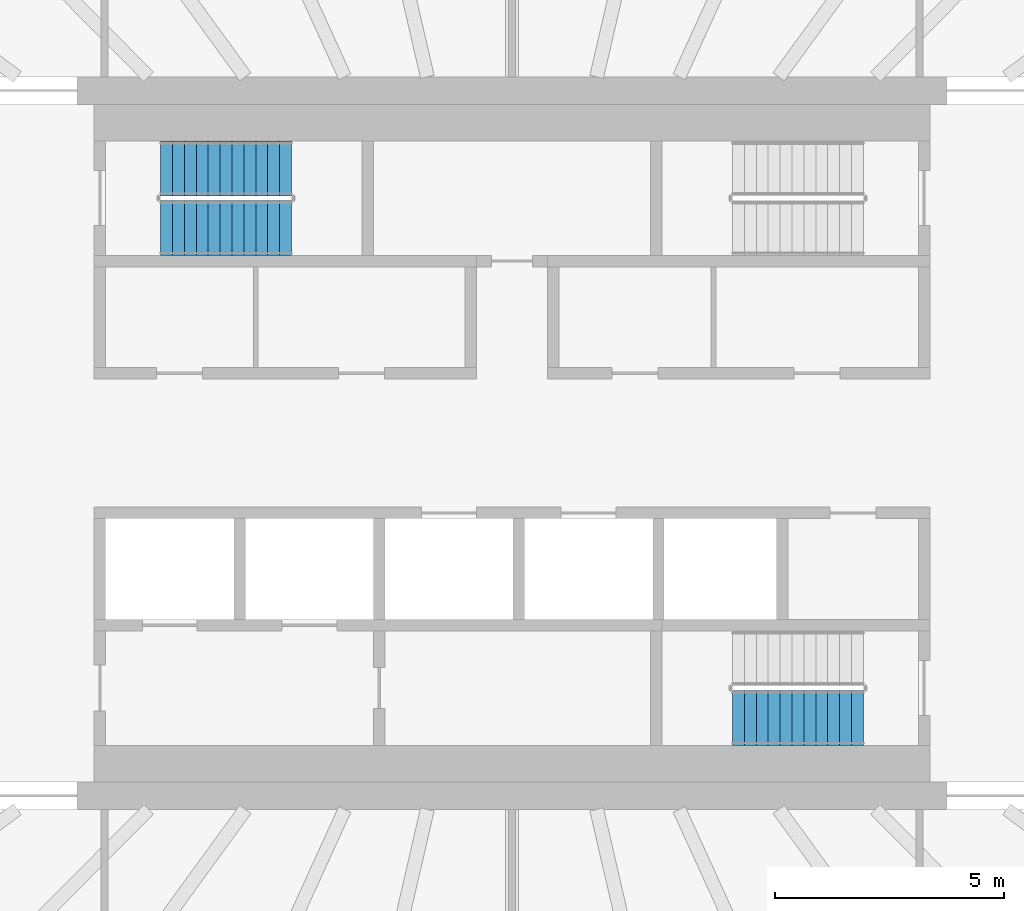
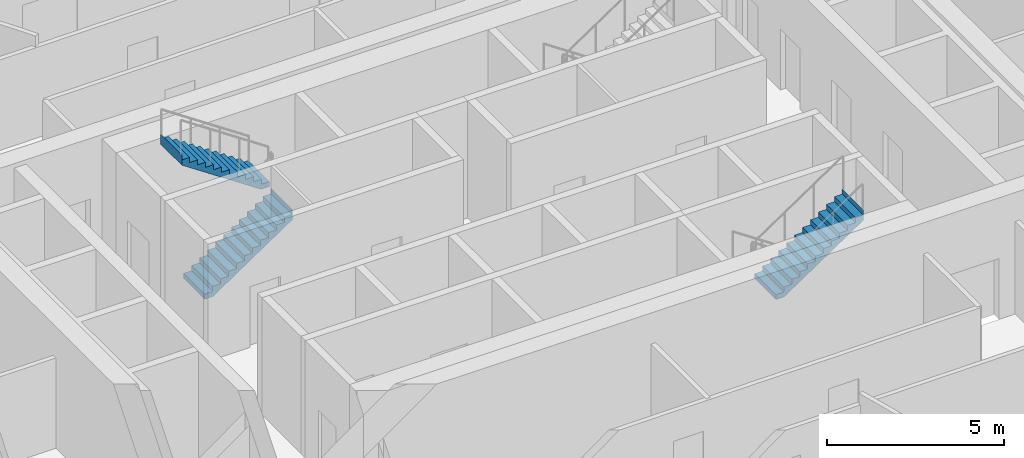
# One storey, part 20 of 28: 3 stair flights, 2 elements without a shape of their own.
"""IFC4 building model written with IfcOpenShell, lengths in metres."""

from ifc_helpers import new_model, si_unit, direction, frame, origin, place, context, subcontext, project, spatial, triangles, material, type_object, element, aggregate, save


model = new_model("IFC4")

# Units and contexts
model_context = context("Model", 3, precision=1e-05, world=origin(), true_north=direction((0.0, 1.0)))
body_context = subcontext(model_context, "Body", "Model", "MODEL_VIEW")
ifc_project = project(units=[si_unit("LENGTHUNIT", "METRE"), si_unit("AREAUNIT", "SQUARE_METRE"), si_unit("VOLUMEUNIT", "CUBIC_METRE"), si_unit("PLANEANGLEUNIT", "RADIAN"), si_unit("MASSUNIT", "GRAM", prefix="KILO")], contexts=[model_context])

# Site, building, storey
site_placement = place(None, origin())
site = spatial("IfcSite", under=ifc_project, at=site_placement, CompositionType="ELEMENT")
building_placement = place(site_placement, origin())
building = spatial("IfcBuilding", under=site, at=building_placement, Name="Sahrelin Media Tower", CompositionType="ELEMENT")
storey_placement = place(building_placement, frame((0.0, 0.0, 75.60009765625)))
storey = spatial("IfcBuildingStorey", under=building, at=storey_placement, Name="L13", CompositionType="ELEMENT", Elevation=75.60009765625)

# Stair, stair flights
ifc_material = material(Name="Concrete C40/50", Category="concrete")
stair_type = type_object("IfcStairType", Name="Exit stair 1200", PredefinedType="HALF_TURN_STAIR", material=ifc_material)
placement = place(storey_placement, origin())
stair_1 = element("IfcStair", 1, at=placement, inside=storey, type_object=stair_type, Name="L13 Exit stair ST1", PredefinedType="HALF_TURN_STAIR")
stair_flight_type = type_object("IfcStairFlightType", Name="Stair flight 1200", PredefinedType="STRAIGHT", material=ifc_material)
stair_flight_1_placement = place(storey_placement, frame((-7.675048828125, 4.699951171875, 0.0), z_axis=(0.0, 0.0, 1.0), x_axis=(1.0, 0.0, 0.0)))
stair_flight_1 = element("IfcStairFlight", 2, at=stair_flight_1_placement, type_object=stair_flight_type, Name="ST1 flight 1", NumberOfRisers=12, NumberOfTreads=11, PredefinedType="STRAIGHT", RiserHeight=0.175, TreadLength=0.26, context=body_context, shape_type="Tessellation", body=[
    triangles([(0.2685546875, 0.60009765625, 0.0), (0.2685546875, 0.300048828125, 0.0), (0.2685546875, 0.0, 0.0), (0.2685546875, -0.300048828125, 0.0), (0.2685546875, -0.60009765625, 0.0), (2.860107421875, 0.60009765625, 1.744384765625), (2.860107421875, 0.300048828125, 1.744384765625), (2.860107421875, 0.0, 1.744384765625), (2.860107421875, -0.300048828125, 1.744384765625), (2.860107421875, -0.60009765625, 1.744384765625), (2.860107421875, 0.60009765625, 2.10009765625), (2.860107421875, 0.300048828125, 2.10009765625), (2.860107421875, 0.0, 2.10009765625), (2.860107421875, -0.300048828125, 2.10009765625), (2.860107421875, -0.60009765625, 2.10009765625), (2.85791015625, 0.60009765625, 2.10009765625), (2.85791015625, 0.300048828125, 2.10009765625), (2.85791015625, 0.0, 2.10009765625), (2.85791015625, -0.300048828125, 2.10009765625), (2.85791015625, -0.60009765625, 2.10009765625), (2.85791015625, 0.60009765625, 1.925048828125), (2.85791015625, 0.300048828125, 1.925048828125), (2.85791015625, 0.0, 1.925048828125), (2.85791015625, -0.300048828125, 1.925048828125), (2.85791015625, -0.60009765625, 1.925048828125), (2.60009765625, 0.60009765625, 1.925048828125), (2.60009765625, 0.300048828125, 1.925048828125), (2.60009765625, 0.0, 1.925048828125), (2.60009765625, -0.300048828125, 1.925048828125), (2.60009765625, -0.60009765625, 1.925048828125), (2.60009765625, 0.60009765625, 1.75), (2.60009765625, 0.300048828125, 1.75), (2.60009765625, 0.0, 1.75), (2.60009765625, -0.300048828125, 1.75), (2.60009765625, -0.60009765625, 1.75), (2.340087890625, 0.60009765625, 1.75), (2.340087890625, 0.300048828125, 1.75), (2.340087890625, 0.0, 1.75), (2.340087890625, -0.300048828125, 1.75), (2.340087890625, -0.60009765625, 1.75), (2.340087890625, 0.60009765625, 1.574951171875), (2.340087890625, 0.300048828125, 1.574951171875), (2.340087890625, 0.0, 1.574951171875), (2.340087890625, -0.300048828125, 1.574951171875), (2.340087890625, -0.60009765625, 1.574951171875), (2.080078125, 0.60009765625, 1.574951171875), (2.080078125, 0.300048828125, 1.574951171875), (2.080078125, 0.0, 1.574951171875), (2.080078125, -0.300048828125, 1.574951171875), (2.080078125, -0.60009765625, 1.574951171875), (2.080078125, 0.60009765625, 1.39990234375), (2.080078125, 0.300048828125, 1.39990234375), (2.080078125, 0.0, 1.39990234375), (2.080078125, -0.300048828125, 1.39990234375), (2.080078125, -0.60009765625, 1.39990234375), (1.820068359375, 0.60009765625, 1.39990234375), (1.820068359375, 0.300048828125, 1.39990234375), (1.820068359375, 0.0, 1.39990234375), (1.820068359375, -0.300048828125, 1.39990234375), (1.820068359375, -0.60009765625, 1.39990234375), (1.820068359375, 0.60009765625, 1.22509765625), (1.820068359375, 0.300048828125, 1.22509765625), (1.820068359375, 0.0, 1.22509765625), (1.820068359375, -0.300048828125, 1.22509765625), (1.820068359375, -0.60009765625, 1.22509765625), (1.56005859375, 0.60009765625, 1.22509765625), (1.56005859375, 0.300048828125, 1.22509765625), (1.56005859375, 0.0, 1.22509765625), (1.56005859375, -0.300048828125, 1.22509765625), (1.56005859375, -0.60009765625, 1.22509765625), (1.56005859375, 0.60009765625, 1.050048828125), (1.56005859375, 0.300048828125, 1.050048828125), (1.56005859375, 0.0, 1.050048828125), (1.56005859375, -0.300048828125, 1.050048828125), (1.56005859375, -0.60009765625, 1.050048828125), (1.300048828125, 0.60009765625, 1.050048828125), (1.300048828125, 0.300048828125, 1.050048828125), (1.300048828125, 0.0, 1.050048828125), (1.300048828125, -0.300048828125, 1.050048828125), (1.300048828125, -0.60009765625, 1.050048828125), (1.300048828125, 0.60009765625, 0.875), (1.300048828125, 0.300048828125, 0.875), (1.300048828125, 0.0, 0.875), (1.300048828125, -0.300048828125, 0.875), (1.300048828125, -0.60009765625, 0.875), (1.0400390625, 0.60009765625, 0.875), (1.0400390625, 0.300048828125, 0.875), (1.0400390625, 0.0, 0.875), (1.0400390625, -0.300048828125, 0.875), (1.0400390625, -0.60009765625, 0.875), (1.0400390625, 0.60009765625, 0.699951171875), (1.0400390625, 0.300048828125, 0.699951171875), (1.0400390625, 0.0, 0.699951171875), (1.0400390625, -0.300048828125, 0.699951171875), (1.0400390625, -0.60009765625, 0.699951171875), (0.780029296875, 0.60009765625, 0.699951171875), (0.780029296875, 0.300048828125, 0.699951171875), (0.780029296875, 0.0, 0.699951171875), (0.780029296875, -0.300048828125, 0.699951171875), (0.780029296875, -0.60009765625, 0.699951171875), (0.780029296875, 0.60009765625, 0.52490234375), (0.780029296875, 0.300048828125, 0.52490234375), (0.780029296875, 0.0, 0.52490234375), (0.780029296875, -0.300048828125, 0.52490234375), (0.780029296875, -0.60009765625, 0.52490234375), (0.52001953125, 0.60009765625, 0.52490234375), (0.52001953125, 0.300048828125, 0.52490234375), (0.52001953125, 0.0, 0.52490234375), (0.52001953125, -0.300048828125, 0.52490234375), (0.52001953125, -0.60009765625, 0.52490234375), (0.52001953125, 0.60009765625, 0.35009765625), (0.52001953125, 0.300048828125, 0.35009765625), (0.52001953125, 0.0, 0.35009765625), (0.52001953125, -0.300048828125, 0.35009765625), (0.52001953125, -0.60009765625, 0.35009765625), (0.260009765625, 0.60009765625, 0.35009765625), (0.260009765625, 0.300048828125, 0.35009765625), (0.260009765625, 0.0, 0.35009765625), (0.260009765625, -0.300048828125, 0.35009765625), (0.260009765625, -0.60009765625, 0.35009765625), (0.260009765625, 0.60009765625, 0.175048828125), (0.260009765625, 0.300048828125, 0.175048828125), (0.260009765625, 0.0, 0.175048828125), (0.260009765625, -0.300048828125, 0.175048828125), (0.260009765625, -0.60009765625, 0.175048828125), (0.0, 0.60009765625, 0.175048828125), (0.0, 0.300048828125, 0.175048828125), (0.0, 0.0, 0.175048828125), (0.0, -0.300048828125, 0.175048828125), (0.0, -0.60009765625, 0.175048828125), (0.0, 0.60009765625, 0.0), (0.0, 0.300048828125, 0.0), (0.0, 0.0, 0.0), (0.0, -0.300048828125, 0.0), (0.0, -0.60009765625, 0.0)], [[1, 6, 7], [1, 7, 2], [2, 7, 8], [2, 8, 3], [3, 8, 9], [3, 9, 4], [4, 9, 10], [4, 10, 5], [6, 11, 12], [6, 12, 7], [7, 12, 13], [7, 13, 8], [8, 13, 14], [8, 14, 9], [9, 14, 15], [9, 15, 10], [11, 16, 17], [11, 17, 12], [12, 17, 18], [12, 18, 13], [13, 18, 19], [13, 19, 14], [14, 19, 20], [14, 20, 15], [16, 21, 22], [16, 22, 17], [17, 22, 23], [17, 23, 18], [18, 23, 24], [18, 24, 19], [19, 24, 25], [19, 25, 20], [21, 26, 27], [21, 27, 22], [22, 27, 28], [22, 28, 23], [23, 28, 29], [23, 29, 24], [24, 29, 30], [24, 30, 25], [26, 31, 32], [26, 32, 27], [27, 32, 33], [27, 33, 28], [28, 33, 34], [28, 34, 29], [29, 34, 35], [29, 35, 30], [31, 36, 37], [31, 37, 32], [32, 37, 38], [32, 38, 33], [33, 38, 39], [33, 39, 34], [34, 39, 40], [34, 40, 35], [36, 41, 42], [36, 42, 37], [37, 42, 43], [37, 43, 38], [38, 43, 44], [38, 44, 39], [39, 44, 45], [39, 45, 40], [41, 46, 47], [41, 47, 42], [42, 47, 48], [42, 48, 43], [43, 48, 49], [43, 49, 44], [44, 49, 50], [44, 50, 45], [46, 51, 52], [46, 52, 47], [47, 52, 53], [47, 53, 48], [48, 53, 54], [48, 54, 49], [49, 54, 55], [49, 55, 50], [51, 56, 57], [51, 57, 52], [52, 57, 58], [52, 58, 53], [53, 58, 59], [53, 59, 54], [54, 59, 60], [54, 60, 55], [56, 61, 62], [56, 62, 57], [57, 62, 63], [57, 63, 58], [58, 63, 64], [58, 64, 59], [59, 64, 65], [59, 65, 60], [61, 66, 67], [61, 67, 62], [62, 67, 68], [62, 68, 63], [63, 68, 69], [63, 69, 64], [64, 69, 70], [64, 70, 65], [66, 71, 72], [66, 72, 67], [67, 72, 73], [67, 73, 68], [68, 73, 74], [68, 74, 69], [69, 74, 75], [69, 75, 70], [71, 76, 77], [71, 77, 72], [72, 77, 78], [72, 78, 73], [73, 78, 79], [73, 79, 74], [74, 79, 80], [74, 80, 75], [76, 81, 82], [76, 82, 77], [77, 82, 83], [77, 83, 78], [78, 83, 84], [78, 84, 79], [79, 84, 85], [79, 85, 80], [81, 86, 87], [81, 87, 82], [82, 87, 88], [82, 88, 83], [83, 88, 89], [83, 89, 84], [84, 89, 90], [84, 90, 85], [86, 91, 92], [86, 92, 87], [87, 92, 93], [87, 93, 88], [88, 93, 94], [88, 94, 89], [89, 94, 95], [89, 95, 90], [91, 96, 97], [91, 97, 92], [92, 97, 98], [92, 98, 93], [93, 98, 99], [93, 99, 94], [94, 99, 100], [94, 100, 95], [96, 101, 102], [96, 102, 97], [97, 102, 103], [97, 103, 98], [98, 103, 104], [98, 104, 99], [99, 104, 105], [99, 105, 100], [101, 106, 107], [101, 107, 102], [102, 107, 108], [102, 108, 103], [103, 108, 109], [103, 109, 104], [104, 109, 110], [104, 110, 105], [106, 111, 112], [106, 112, 107], [107, 112, 113], [107, 113, 108], [108, 113, 114], [108, 114, 109], [109, 114, 115], [109, 115, 110], [111, 116, 117], [111, 117, 112], [112, 117, 118], [112, 118, 113], [113, 118, 119], [113, 119, 114], [114, 119, 120], [114, 120, 115], [116, 121, 122], [116, 122, 117], [117, 122, 123], [117, 123, 118], [118, 123, 124], [118, 124, 119], [119, 124, 125], [119, 125, 120], [121, 126, 127], [121, 127, 122], [122, 127, 128], [122, 128, 123], [123, 128, 129], [123, 129, 124], [124, 129, 130], [124, 130, 125], [126, 131, 132], [126, 132, 127], [127, 132, 133], [127, 133, 128], [128, 133, 134], [128, 134, 129], [129, 134, 135], [129, 135, 130], [131, 1, 2], [131, 2, 132], [132, 2, 3], [132, 3, 133], [133, 3, 4], [133, 4, 134], [134, 4, 5], [134, 5, 135], [125, 130, 135], [121, 131, 126], [125, 115, 120], [121, 116, 111], [115, 105, 110], [111, 106, 101], [105, 95, 100], [101, 96, 91], [95, 85, 90], [91, 86, 81], [85, 75, 80], [81, 76, 71], [75, 65, 70], [71, 66, 61], [65, 55, 60], [61, 56, 51], [55, 45, 50], [51, 46, 41], [45, 35, 40], [41, 36, 31], [35, 25, 30], [31, 26, 21], [25, 15, 20], [21, 16, 11], [135, 5, 125], [131, 121, 1], [95, 105, 5], [91, 1, 101], [5, 10, 75], [1, 71, 6], [10, 35, 45], [6, 41, 31], [25, 10, 15], [21, 11, 6], [115, 125, 5], [111, 1, 121], [75, 85, 5], [71, 1, 81], [35, 10, 25], [31, 21, 6], [105, 115, 5], [101, 1, 111], [45, 55, 10], [41, 6, 51], [85, 95, 5], [81, 1, 91], [65, 10, 55], [61, 51, 6], [10, 65, 75], [6, 71, 61]], closed=True),
])
stair_flight_2_placement = place(storey_placement, frame((-4.81494140625, 6.0, 2.099853515625), z_axis=(0.0, 0.0, 1.0), x_axis=(-1.0, 0.0, 0.0)))
stair_flight_2 = element("IfcStairFlight", 3, at=stair_flight_2_placement, type_object=stair_flight_type, Name="ST1 flight 2", NumberOfRisers=12, NumberOfTreads=11, PredefinedType="STRAIGHT", RiserHeight=0.175, TreadLength=0.26, context=body_context, shape_type="Tessellation", body=[
    triangles([(0.2685546875, 0.60009765625, 0.0), (0.2685546875, 0.300048828125, 0.0), (0.2685546875, 0.0, 0.0), (0.2685546875, -0.300048828125, 0.0), (0.2685546875, -0.60009765625, 0.0), (2.860107421875, 0.60009765625, 1.744384765625), (2.860107421875, 0.300048828125, 1.744384765625), (2.860107421875, 0.0, 1.744384765625), (2.860107421875, -0.300048828125, 1.744384765625), (2.860107421875, -0.60009765625, 1.744384765625), (2.860107421875, 0.60009765625, 2.10009765625), (2.860107421875, 0.300048828125, 2.10009765625), (2.860107421875, 0.0, 2.10009765625), (2.860107421875, -0.300048828125, 2.10009765625), (2.860107421875, -0.60009765625, 2.10009765625), (2.85791015625, 0.60009765625, 2.10009765625), (2.85791015625, 0.300048828125, 2.10009765625), (2.85791015625, 0.0, 2.10009765625), (2.85791015625, -0.300048828125, 2.10009765625), (2.85791015625, -0.60009765625, 2.10009765625), (2.85791015625, 0.60009765625, 1.925048828125), (2.85791015625, 0.300048828125, 1.925048828125), (2.85791015625, 0.0, 1.925048828125), (2.85791015625, -0.300048828125, 1.925048828125), (2.85791015625, -0.60009765625, 1.925048828125), (2.60009765625, 0.60009765625, 1.925048828125), (2.60009765625, 0.300048828125, 1.925048828125), (2.60009765625, 0.0, 1.925048828125), (2.60009765625, -0.300048828125, 1.925048828125), (2.60009765625, -0.60009765625, 1.925048828125), (2.60009765625, 0.60009765625, 1.75), (2.60009765625, 0.300048828125, 1.75), (2.60009765625, 0.0, 1.75), (2.60009765625, -0.300048828125, 1.75), (2.60009765625, -0.60009765625, 1.75), (2.340087890625, 0.60009765625, 1.75), (2.340087890625, 0.300048828125, 1.75), (2.340087890625, 0.0, 1.75), (2.340087890625, -0.300048828125, 1.75), (2.340087890625, -0.60009765625, 1.75), (2.340087890625, 0.60009765625, 1.574951171875), (2.340087890625, 0.300048828125, 1.574951171875), (2.340087890625, 0.0, 1.574951171875), (2.340087890625, -0.300048828125, 1.574951171875), (2.340087890625, -0.60009765625, 1.574951171875), (2.080078125, 0.60009765625, 1.574951171875), (2.080078125, 0.300048828125, 1.574951171875), (2.080078125, 0.0, 1.574951171875), (2.080078125, -0.300048828125, 1.574951171875), (2.080078125, -0.60009765625, 1.574951171875), (2.080078125, 0.60009765625, 1.39990234375), (2.080078125, 0.300048828125, 1.39990234375), (2.080078125, 0.0, 1.39990234375), (2.080078125, -0.300048828125, 1.39990234375), (2.080078125, -0.60009765625, 1.39990234375), (1.820068359375, 0.60009765625, 1.39990234375), (1.820068359375, 0.300048828125, 1.39990234375), (1.820068359375, 0.0, 1.39990234375), (1.820068359375, -0.300048828125, 1.39990234375), (1.820068359375, -0.60009765625, 1.39990234375), (1.820068359375, 0.60009765625, 1.22509765625), (1.820068359375, 0.300048828125, 1.22509765625), (1.820068359375, 0.0, 1.22509765625), (1.820068359375, -0.300048828125, 1.22509765625), (1.820068359375, -0.60009765625, 1.22509765625), (1.56005859375, 0.60009765625, 1.22509765625), (1.56005859375, 0.300048828125, 1.22509765625), (1.56005859375, 0.0, 1.22509765625), (1.56005859375, -0.300048828125, 1.22509765625), (1.56005859375, -0.60009765625, 1.22509765625), (1.56005859375, 0.60009765625, 1.050048828125), (1.56005859375, 0.300048828125, 1.050048828125), (1.56005859375, 0.0, 1.050048828125), (1.56005859375, -0.300048828125, 1.050048828125), (1.56005859375, -0.60009765625, 1.050048828125), (1.300048828125, 0.60009765625, 1.050048828125), (1.300048828125, 0.300048828125, 1.050048828125), (1.300048828125, 0.0, 1.050048828125), (1.300048828125, -0.300048828125, 1.050048828125), (1.300048828125, -0.60009765625, 1.050048828125), (1.300048828125, 0.60009765625, 0.875), (1.300048828125, 0.300048828125, 0.875), (1.300048828125, 0.0, 0.875), (1.300048828125, -0.300048828125, 0.875), (1.300048828125, -0.60009765625, 0.875), (1.0400390625, 0.60009765625, 0.875), (1.0400390625, 0.300048828125, 0.875), (1.0400390625, 0.0, 0.875), (1.0400390625, -0.300048828125, 0.875), (1.0400390625, -0.60009765625, 0.875), (1.0400390625, 0.60009765625, 0.699951171875), (1.0400390625, 0.300048828125, 0.699951171875), (1.0400390625, 0.0, 0.699951171875), (1.0400390625, -0.300048828125, 0.699951171875), (1.0400390625, -0.60009765625, 0.699951171875), (0.780029296875, 0.60009765625, 0.699951171875), (0.780029296875, 0.300048828125, 0.699951171875), (0.780029296875, 0.0, 0.699951171875), (0.780029296875, -0.300048828125, 0.699951171875), (0.780029296875, -0.60009765625, 0.699951171875), (0.780029296875, 0.60009765625, 0.52490234375), (0.780029296875, 0.300048828125, 0.52490234375), (0.780029296875, 0.0, 0.52490234375), (0.780029296875, -0.300048828125, 0.52490234375), (0.780029296875, -0.60009765625, 0.52490234375), (0.52001953125, 0.60009765625, 0.52490234375), (0.52001953125, 0.300048828125, 0.52490234375), (0.52001953125, 0.0, 0.52490234375), (0.52001953125, -0.300048828125, 0.52490234375), (0.52001953125, -0.60009765625, 0.52490234375), (0.52001953125, 0.60009765625, 0.35009765625), (0.52001953125, 0.300048828125, 0.35009765625), (0.52001953125, 0.0, 0.35009765625), (0.52001953125, -0.300048828125, 0.35009765625), (0.52001953125, -0.60009765625, 0.35009765625), (0.260009765625, 0.60009765625, 0.35009765625), (0.260009765625, 0.300048828125, 0.35009765625), (0.260009765625, 0.0, 0.35009765625), (0.260009765625, -0.300048828125, 0.35009765625), (0.260009765625, -0.60009765625, 0.35009765625), (0.260009765625, 0.60009765625, 0.175048828125), (0.260009765625, 0.300048828125, 0.175048828125), (0.260009765625, 0.0, 0.175048828125), (0.260009765625, -0.300048828125, 0.175048828125), (0.260009765625, -0.60009765625, 0.175048828125), (0.0, 0.60009765625, 0.175048828125), (0.0, 0.300048828125, 0.175048828125), (0.0, 0.0, 0.175048828125), (0.0, -0.300048828125, 0.175048828125), (0.0, -0.60009765625, 0.175048828125), (0.0, 0.60009765625, 0.0), (0.0, 0.300048828125, 0.0), (0.0, 0.0, 0.0), (0.0, -0.300048828125, 0.0), (0.0, -0.60009765625, 0.0)], [[1, 6, 7], [1, 7, 2], [2, 7, 8], [2, 8, 3], [3, 8, 9], [3, 9, 4], [4, 9, 10], [4, 10, 5], [6, 11, 12], [6, 12, 7], [7, 12, 13], [7, 13, 8], [8, 13, 14], [8, 14, 9], [9, 14, 15], [9, 15, 10], [11, 16, 17], [11, 17, 12], [12, 17, 18], [12, 18, 13], [13, 18, 19], [13, 19, 14], [14, 19, 20], [14, 20, 15], [16, 21, 22], [16, 22, 17], [17, 22, 23], [17, 23, 18], [18, 23, 24], [18, 24, 19], [19, 24, 25], [19, 25, 20], [21, 26, 27], [21, 27, 22], [22, 27, 28], [22, 28, 23], [23, 28, 29], [23, 29, 24], [24, 29, 30], [24, 30, 25], [26, 31, 32], [26, 32, 27], [27, 32, 33], [27, 33, 28], [28, 33, 34], [28, 34, 29], [29, 34, 35], [29, 35, 30], [31, 36, 37], [31, 37, 32], [32, 37, 38], [32, 38, 33], [33, 38, 39], [33, 39, 34], [34, 39, 40], [34, 40, 35], [36, 41, 42], [36, 42, 37], [37, 42, 43], [37, 43, 38], [38, 43, 44], [38, 44, 39], [39, 44, 45], [39, 45, 40], [41, 46, 47], [41, 47, 42], [42, 47, 48], [42, 48, 43], [43, 48, 49], [43, 49, 44], [44, 49, 50], [44, 50, 45], [46, 51, 52], [46, 52, 47], [47, 52, 53], [47, 53, 48], [48, 53, 54], [48, 54, 49], [49, 54, 55], [49, 55, 50], [51, 56, 57], [51, 57, 52], [52, 57, 58], [52, 58, 53], [53, 58, 59], [53, 59, 54], [54, 59, 60], [54, 60, 55], [56, 61, 62], [56, 62, 57], [57, 62, 63], [57, 63, 58], [58, 63, 64], [58, 64, 59], [59, 64, 65], [59, 65, 60], [61, 66, 67], [61, 67, 62], [62, 67, 68], [62, 68, 63], [63, 68, 69], [63, 69, 64], [64, 69, 70], [64, 70, 65], [66, 71, 72], [66, 72, 67], [67, 72, 73], [67, 73, 68], [68, 73, 74], [68, 74, 69], [69, 74, 75], [69, 75, 70], [71, 76, 77], [71, 77, 72], [72, 77, 78], [72, 78, 73], [73, 78, 79], [73, 79, 74], [74, 79, 80], [74, 80, 75], [76, 81, 82], [76, 82, 77], [77, 82, 83], [77, 83, 78], [78, 83, 84], [78, 84, 79], [79, 84, 85], [79, 85, 80], [81, 86, 87], [81, 87, 82], [82, 87, 88], [82, 88, 83], [83, 88, 89], [83, 89, 84], [84, 89, 90], [84, 90, 85], [86, 91, 92], [86, 92, 87], [87, 92, 93], [87, 93, 88], [88, 93, 94], [88, 94, 89], [89, 94, 95], [89, 95, 90], [91, 96, 97], [91, 97, 92], [92, 97, 98], [92, 98, 93], [93, 98, 99], [93, 99, 94], [94, 99, 100], [94, 100, 95], [96, 101, 102], [96, 102, 97], [97, 102, 103], [97, 103, 98], [98, 103, 104], [98, 104, 99], [99, 104, 105], [99, 105, 100], [101, 106, 107], [101, 107, 102], [102, 107, 108], [102, 108, 103], [103, 108, 109], [103, 109, 104], [104, 109, 110], [104, 110, 105], [106, 111, 112], [106, 112, 107], [107, 112, 113], [107, 113, 108], [108, 113, 114], [108, 114, 109], [109, 114, 115], [109, 115, 110], [111, 116, 117], [111, 117, 112], [112, 117, 118], [112, 118, 113], [113, 118, 119], [113, 119, 114], [114, 119, 120], [114, 120, 115], [116, 121, 122], [116, 122, 117], [117, 122, 123], [117, 123, 118], [118, 123, 124], [118, 124, 119], [119, 124, 125], [119, 125, 120], [121, 126, 127], [121, 127, 122], [122, 127, 128], [122, 128, 123], [123, 128, 129], [123, 129, 124], [124, 129, 130], [124, 130, 125], [126, 131, 132], [126, 132, 127], [127, 132, 133], [127, 133, 128], [128, 133, 134], [128, 134, 129], [129, 134, 135], [129, 135, 130], [131, 1, 2], [131, 2, 132], [132, 2, 3], [132, 3, 133], [133, 3, 4], [133, 4, 134], [134, 4, 5], [134, 5, 135], [125, 130, 135], [121, 131, 126], [125, 115, 120], [121, 116, 111], [115, 105, 110], [111, 106, 101], [105, 95, 100], [101, 96, 91], [95, 85, 90], [91, 86, 81], [85, 75, 80], [81, 76, 71], [75, 65, 70], [71, 66, 61], [65, 55, 60], [61, 56, 51], [55, 45, 50], [51, 46, 41], [45, 35, 40], [41, 36, 31], [35, 25, 30], [31, 26, 21], [25, 15, 20], [21, 16, 11], [135, 5, 125], [131, 121, 1], [95, 105, 5], [91, 1, 101], [5, 10, 75], [1, 71, 6], [10, 35, 45], [6, 41, 31], [25, 10, 15], [21, 11, 6], [115, 125, 5], [111, 1, 121], [75, 85, 5], [71, 1, 81], [35, 10, 25], [31, 21, 6], [105, 115, 5], [101, 1, 111], [45, 55, 10], [41, 6, 51], [85, 95, 5], [81, 1, 91], [65, 10, 55], [61, 51, 6], [10, 65, 75], [6, 71, 61]], closed=True),
])
aggregate(stair_1, [stair_flight_1, stair_flight_2])

# Stair, stair flight
stair_2 = element("IfcStair", 4, at=placement, inside=storey, type_object=stair_type, Name="L13 Exit stair ST2", PredefinedType="HALF_TURN_STAIR")
stair_flight_3_placement = place(storey_placement, frame((4.81494140625, -6.0, 2.099853515625), z_axis=(0.0, 0.0, 1.0), x_axis=(1.0, 0.0, 0.0)))
stair_flight_3 = element("IfcStairFlight", 5, at=stair_flight_3_placement, type_object=stair_flight_type, Name="ST2 flight 2", NumberOfRisers=12, NumberOfTreads=11, PredefinedType="STRAIGHT", RiserHeight=0.175, TreadLength=0.26, context=body_context, shape_type="Tessellation", body=[
    triangles([(0.2685546875, 0.60009765625, 0.0), (0.2685546875, 0.300048828125, 0.0), (0.2685546875, 0.0, 0.0), (0.2685546875, -0.300048828125, 0.0), (0.2685546875, -0.60009765625, 0.0), (2.860107421875, 0.60009765625, 1.744384765625), (2.860107421875, 0.300048828125, 1.744384765625), (2.860107421875, 0.0, 1.744384765625), (2.860107421875, -0.300048828125, 1.744384765625), (2.860107421875, -0.60009765625, 1.744384765625), (2.860107421875, 0.60009765625, 2.10009765625), (2.860107421875, 0.300048828125, 2.10009765625), (2.860107421875, 0.0, 2.10009765625), (2.860107421875, -0.300048828125, 2.10009765625), (2.860107421875, -0.60009765625, 2.10009765625), (2.85791015625, 0.60009765625, 2.10009765625), (2.85791015625, 0.300048828125, 2.10009765625), (2.85791015625, 0.0, 2.10009765625), (2.85791015625, -0.300048828125, 2.10009765625), (2.85791015625, -0.60009765625, 2.10009765625), (2.85791015625, 0.60009765625, 1.925048828125), (2.85791015625, 0.300048828125, 1.925048828125), (2.85791015625, 0.0, 1.925048828125), (2.85791015625, -0.300048828125, 1.925048828125), (2.85791015625, -0.60009765625, 1.925048828125), (2.60009765625, 0.60009765625, 1.925048828125), (2.60009765625, 0.300048828125, 1.925048828125), (2.60009765625, 0.0, 1.925048828125), (2.60009765625, -0.300048828125, 1.925048828125), (2.60009765625, -0.60009765625, 1.925048828125), (2.60009765625, 0.60009765625, 1.75), (2.60009765625, 0.300048828125, 1.75), (2.60009765625, 0.0, 1.75), (2.60009765625, -0.300048828125, 1.75), (2.60009765625, -0.60009765625, 1.75), (2.340087890625, 0.60009765625, 1.75), (2.340087890625, 0.300048828125, 1.75), (2.340087890625, 0.0, 1.75), (2.340087890625, -0.300048828125, 1.75), (2.340087890625, -0.60009765625, 1.75), (2.340087890625, 0.60009765625, 1.574951171875), (2.340087890625, 0.300048828125, 1.574951171875), (2.340087890625, 0.0, 1.574951171875), (2.340087890625, -0.300048828125, 1.574951171875), (2.340087890625, -0.60009765625, 1.574951171875), (2.080078125, 0.60009765625, 1.574951171875), (2.080078125, 0.300048828125, 1.574951171875), (2.080078125, 0.0, 1.574951171875), (2.080078125, -0.300048828125, 1.574951171875), (2.080078125, -0.60009765625, 1.574951171875), (2.080078125, 0.60009765625, 1.39990234375), (2.080078125, 0.300048828125, 1.39990234375), (2.080078125, 0.0, 1.39990234375), (2.080078125, -0.300048828125, 1.39990234375), (2.080078125, -0.60009765625, 1.39990234375), (1.820068359375, 0.60009765625, 1.39990234375), (1.820068359375, 0.300048828125, 1.39990234375), (1.820068359375, 0.0, 1.39990234375), (1.820068359375, -0.300048828125, 1.39990234375), (1.820068359375, -0.60009765625, 1.39990234375), (1.820068359375, 0.60009765625, 1.22509765625), (1.820068359375, 0.300048828125, 1.22509765625), (1.820068359375, 0.0, 1.22509765625), (1.820068359375, -0.300048828125, 1.22509765625), (1.820068359375, -0.60009765625, 1.22509765625), (1.56005859375, 0.60009765625, 1.22509765625), (1.56005859375, 0.300048828125, 1.22509765625), (1.56005859375, 0.0, 1.22509765625), (1.56005859375, -0.300048828125, 1.22509765625), (1.56005859375, -0.60009765625, 1.22509765625), (1.56005859375, 0.60009765625, 1.050048828125), (1.56005859375, 0.300048828125, 1.050048828125), (1.56005859375, 0.0, 1.050048828125), (1.56005859375, -0.300048828125, 1.050048828125), (1.56005859375, -0.60009765625, 1.050048828125), (1.300048828125, 0.60009765625, 1.050048828125), (1.300048828125, 0.300048828125, 1.050048828125), (1.300048828125, 0.0, 1.050048828125), (1.300048828125, -0.300048828125, 1.050048828125), (1.300048828125, -0.60009765625, 1.050048828125), (1.300048828125, 0.60009765625, 0.875), (1.300048828125, 0.300048828125, 0.875), (1.300048828125, 0.0, 0.875), (1.300048828125, -0.300048828125, 0.875), (1.300048828125, -0.60009765625, 0.875), (1.0400390625, 0.60009765625, 0.875), (1.0400390625, 0.300048828125, 0.875), (1.0400390625, 0.0, 0.875), (1.0400390625, -0.300048828125, 0.875), (1.0400390625, -0.60009765625, 0.875), (1.0400390625, 0.60009765625, 0.699951171875), (1.0400390625, 0.300048828125, 0.699951171875), (1.0400390625, 0.0, 0.699951171875), (1.0400390625, -0.300048828125, 0.699951171875), (1.0400390625, -0.60009765625, 0.699951171875), (0.780029296875, 0.60009765625, 0.699951171875), (0.780029296875, 0.300048828125, 0.699951171875), (0.780029296875, 0.0, 0.699951171875), (0.780029296875, -0.300048828125, 0.699951171875), (0.780029296875, -0.60009765625, 0.699951171875), (0.780029296875, 0.60009765625, 0.52490234375), (0.780029296875, 0.300048828125, 0.52490234375), (0.780029296875, 0.0, 0.52490234375), (0.780029296875, -0.300048828125, 0.52490234375), (0.780029296875, -0.60009765625, 0.52490234375), (0.52001953125, 0.60009765625, 0.52490234375), (0.52001953125, 0.300048828125, 0.52490234375), (0.52001953125, 0.0, 0.52490234375), (0.52001953125, -0.300048828125, 0.52490234375), (0.52001953125, -0.60009765625, 0.52490234375), (0.52001953125, 0.60009765625, 0.35009765625), (0.52001953125, 0.300048828125, 0.35009765625), (0.52001953125, 0.0, 0.35009765625), (0.52001953125, -0.300048828125, 0.35009765625), (0.52001953125, -0.60009765625, 0.35009765625), (0.260009765625, 0.60009765625, 0.35009765625), (0.260009765625, 0.300048828125, 0.35009765625), (0.260009765625, 0.0, 0.35009765625), (0.260009765625, -0.300048828125, 0.35009765625), (0.260009765625, -0.60009765625, 0.35009765625), (0.260009765625, 0.60009765625, 0.175048828125), (0.260009765625, 0.300048828125, 0.175048828125), (0.260009765625, 0.0, 0.175048828125), (0.260009765625, -0.300048828125, 0.175048828125), (0.260009765625, -0.60009765625, 0.175048828125), (0.0, 0.60009765625, 0.175048828125), (0.0, 0.300048828125, 0.175048828125), (0.0, 0.0, 0.175048828125), (0.0, -0.300048828125, 0.175048828125), (0.0, -0.60009765625, 0.175048828125), (0.0, 0.60009765625, 0.0), (0.0, 0.300048828125, 0.0), (0.0, 0.0, 0.0), (0.0, -0.300048828125, 0.0), (0.0, -0.60009765625, 0.0)], [[1, 6, 7], [1, 7, 2], [2, 7, 8], [2, 8, 3], [3, 8, 9], [3, 9, 4], [4, 9, 10], [4, 10, 5], [6, 11, 12], [6, 12, 7], [7, 12, 13], [7, 13, 8], [8, 13, 14], [8, 14, 9], [9, 14, 15], [9, 15, 10], [11, 16, 17], [11, 17, 12], [12, 17, 18], [12, 18, 13], [13, 18, 19], [13, 19, 14], [14, 19, 20], [14, 20, 15], [16, 21, 22], [16, 22, 17], [17, 22, 23], [17, 23, 18], [18, 23, 24], [18, 24, 19], [19, 24, 25], [19, 25, 20], [21, 26, 27], [21, 27, 22], [22, 27, 28], [22, 28, 23], [23, 28, 29], [23, 29, 24], [24, 29, 30], [24, 30, 25], [26, 31, 32], [26, 32, 27], [27, 32, 33], [27, 33, 28], [28, 33, 34], [28, 34, 29], [29, 34, 35], [29, 35, 30], [31, 36, 37], [31, 37, 32], [32, 37, 38], [32, 38, 33], [33, 38, 39], [33, 39, 34], [34, 39, 40], [34, 40, 35], [36, 41, 42], [36, 42, 37], [37, 42, 43], [37, 43, 38], [38, 43, 44], [38, 44, 39], [39, 44, 45], [39, 45, 40], [41, 46, 47], [41, 47, 42], [42, 47, 48], [42, 48, 43], [43, 48, 49], [43, 49, 44], [44, 49, 50], [44, 50, 45], [46, 51, 52], [46, 52, 47], [47, 52, 53], [47, 53, 48], [48, 53, 54], [48, 54, 49], [49, 54, 55], [49, 55, 50], [51, 56, 57], [51, 57, 52], [52, 57, 58], [52, 58, 53], [53, 58, 59], [53, 59, 54], [54, 59, 60], [54, 60, 55], [56, 61, 62], [56, 62, 57], [57, 62, 63], [57, 63, 58], [58, 63, 64], [58, 64, 59], [59, 64, 65], [59, 65, 60], [61, 66, 67], [61, 67, 62], [62, 67, 68], [62, 68, 63], [63, 68, 69], [63, 69, 64], [64, 69, 70], [64, 70, 65], [66, 71, 72], [66, 72, 67], [67, 72, 73], [67, 73, 68], [68, 73, 74], [68, 74, 69], [69, 74, 75], [69, 75, 70], [71, 76, 77], [71, 77, 72], [72, 77, 78], [72, 78, 73], [73, 78, 79], [73, 79, 74], [74, 79, 80], [74, 80, 75], [76, 81, 82], [76, 82, 77], [77, 82, 83], [77, 83, 78], [78, 83, 84], [78, 84, 79], [79, 84, 85], [79, 85, 80], [81, 86, 87], [81, 87, 82], [82, 87, 88], [82, 88, 83], [83, 88, 89], [83, 89, 84], [84, 89, 90], [84, 90, 85], [86, 91, 92], [86, 92, 87], [87, 92, 93], [87, 93, 88], [88, 93, 94], [88, 94, 89], [89, 94, 95], [89, 95, 90], [91, 96, 97], [91, 97, 92], [92, 97, 98], [92, 98, 93], [93, 98, 99], [93, 99, 94], [94, 99, 100], [94, 100, 95], [96, 101, 102], [96, 102, 97], [97, 102, 103], [97, 103, 98], [98, 103, 104], [98, 104, 99], [99, 104, 105], [99, 105, 100], [101, 106, 107], [101, 107, 102], [102, 107, 108], [102, 108, 103], [103, 108, 109], [103, 109, 104], [104, 109, 110], [104, 110, 105], [106, 111, 112], [106, 112, 107], [107, 112, 113], [107, 113, 108], [108, 113, 114], [108, 114, 109], [109, 114, 115], [109, 115, 110], [111, 116, 117], [111, 117, 112], [112, 117, 118], [112, 118, 113], [113, 118, 119], [113, 119, 114], [114, 119, 120], [114, 120, 115], [116, 121, 122], [116, 122, 117], [117, 122, 123], [117, 123, 118], [118, 123, 124], [118, 124, 119], [119, 124, 125], [119, 125, 120], [121, 126, 127], [121, 127, 122], [122, 127, 128], [122, 128, 123], [123, 128, 129], [123, 129, 124], [124, 129, 130], [124, 130, 125], [126, 131, 132], [126, 132, 127], [127, 132, 133], [127, 133, 128], [128, 133, 134], [128, 134, 129], [129, 134, 135], [129, 135, 130], [131, 1, 2], [131, 2, 132], [132, 2, 3], [132, 3, 133], [133, 3, 4], [133, 4, 134], [134, 4, 5], [134, 5, 135], [125, 130, 135], [121, 131, 126], [125, 115, 120], [121, 116, 111], [115, 105, 110], [111, 106, 101], [105, 95, 100], [101, 96, 91], [95, 85, 90], [91, 86, 81], [85, 75, 80], [81, 76, 71], [75, 65, 70], [71, 66, 61], [65, 55, 60], [61, 56, 51], [55, 45, 50], [51, 46, 41], [45, 35, 40], [41, 36, 31], [35, 25, 30], [31, 26, 21], [25, 15, 20], [21, 16, 11], [135, 5, 125], [131, 121, 1], [95, 105, 5], [91, 1, 101], [5, 10, 75], [1, 71, 6], [10, 35, 45], [6, 41, 31], [25, 10, 15], [21, 11, 6], [115, 125, 5], [111, 1, 121], [75, 85, 5], [71, 1, 81], [35, 10, 25], [31, 21, 6], [105, 115, 5], [101, 1, 111], [45, 55, 10], [41, 6, 51], [85, 95, 5], [81, 1, 91], [65, 10, 55], [61, 51, 6], [10, 65, 75], [6, 71, 61]], closed=True),
])
aggregate(stair_2, [stair_flight_3])

save(model, "model.ifc")
